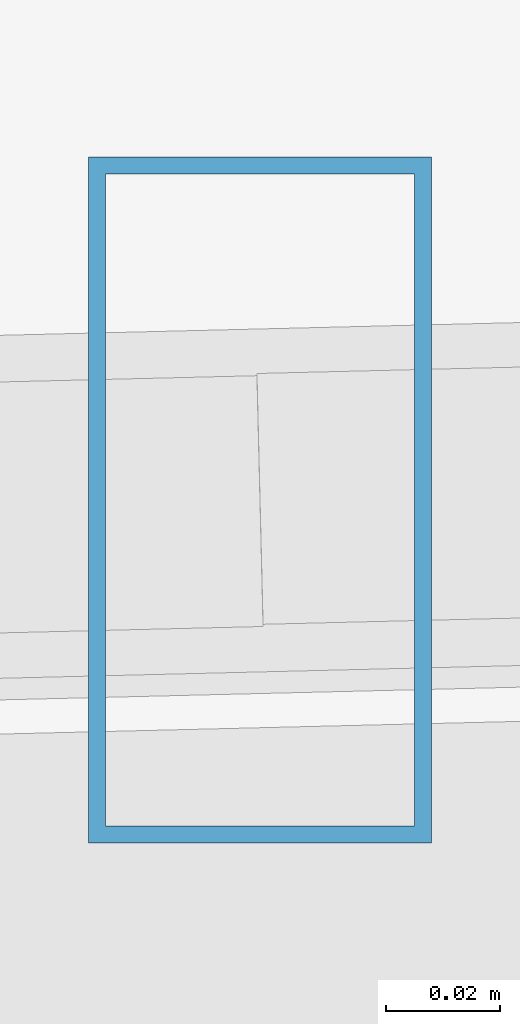
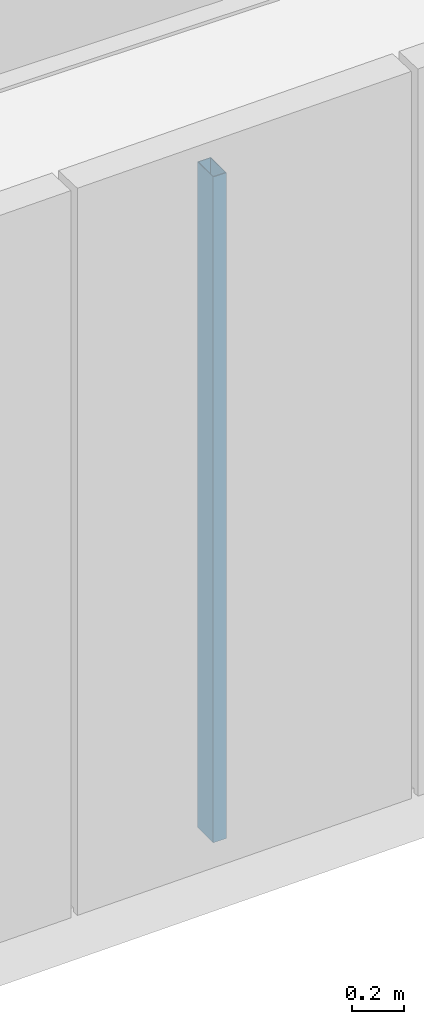
# One storey, part 5 of 44: 1 member, 1 element without a shape of its own.
"""IFC4 building model written with IfcOpenShell, lengths in metres."""

import ifcopenshell
import ifcopenshell.guid

model = None  # the IFC model being written
_history = None  # IfcOwnerHistory: only IFC2X3 demands one
_inside = {}  # id of a spatial element -> (the spatial element, [elements in it])
_under = {}  # id of a project, library or spatial element -> (it, [spatial elements below it])
_declared = {}  # id of a project -> (the project, [libraries it declares])
_typed = {}  # id of a type object -> (the type object, [elements of that type])
_made_of = {}  # id of a material, layer set ... -> (it, [elements and type objects made of it])


def new_model(schema):
    """Start an empty IFC model of exactly this schema.

    Asked for "IFC4X3", IfcOpenShell would pick the latest addendum, in which some entities
    have other attributes; the version numbers below select the first issue.
    IFC2X3 requires an IfcOwnerHistory on every rooted entity: one is made here for all.
    """
    global model, _history
    if schema == "IFC4X3":
        model = ifcopenshell.file(schema_version=(4, 3, 0, 0))
    else:
        model = ifcopenshell.file(schema=schema)
    _inside.clear()
    _under.clear()
    _declared.clear()
    _typed.clear()
    _made_of.clear()
    _history = None
    if model.schema == "IFC2X3":
        org = make("IfcOrganization", Name="unknown")
        user = make(
            "IfcPersonAndOrganization",
            ThePerson=make("IfcPerson", FamilyName="unknown"),
            TheOrganization=org,
        )
        app = make(
            "IfcApplication",
            ApplicationDeveloper=org,
            Version="unknown",
            ApplicationFullName="unknown",
            ApplicationIdentifier="unknown",
        )
        _history = make(
            "IfcOwnerHistory",
            OwningUser=user,
            OwningApplication=app,
            ChangeAction="ADDED",
            CreationDate=0,
        )
    return model


def make(cls, **values):
    """One entity of the class cls with the attributes given. An attribute that is None is left unset."""
    return model.create_entity(
        cls, **{name: value for name, value in values.items() if value is not None}
    )


def rooted(cls, **values):
    """An entity with a GlobalId (a new one), such as an element, a storey or a relation."""
    return make(cls, GlobalId=ifcopenshell.guid.new(), OwnerHistory=_history, **values)


def si_unit(unit_type, name, prefix=None):
    """IfcSIUnit, for example si_unit("LENGTHUNIT", "METRE", prefix="MILLI")."""
    return make("IfcSIUnit", UnitType=unit_type, Prefix=prefix, Name=name)


def assignment(units):
    """IfcUnitAssignment: the units of a project."""
    return None if units is None else make("IfcUnitAssignment", Units=units)


def point(xyz):
    """IfcCartesianPoint."""
    return None if xyz is None else make("IfcCartesianPoint", Coordinates=xyz)


def direction(xyz):
    """IfcDirection."""
    return None if xyz is None else make("IfcDirection", DirectionRatios=xyz)


def frame(location, z_axis=None, x_axis=None):
    """IfcAxis2Placement3D, a coordinate frame: its origin and axes. An axis left out is left unset."""
    return make(
        "IfcAxis2Placement3D",
        Location=point(location),
        Axis=direction(z_axis),
        RefDirection=direction(x_axis),
    )


def frame_2d(location, x_axis=None):
    """IfcAxis2Placement2D, a coordinate frame in the plane: its origin and x axis."""
    return make(
        "IfcAxis2Placement2D", Location=point(location), RefDirection=direction(x_axis)
    )


def origin():
    """The frame at (0, 0, 0) with its axes left unset."""
    return frame((0.0, 0.0, 0.0))


def origin_2d():
    """The frame at (0, 0) in the plane with its x axis left unset."""
    return frame_2d((0.0, 0.0))


def place(relative_to, where):
    """IfcLocalPlacement: puts the frame where relative to a parent placement (None: the world)."""
    return make(
        "IfcLocalPlacement", PlacementRelTo=relative_to, RelativePlacement=where
    )


def context(
    kind, dimensions, precision=None, world=None, true_north=None, identifier=None
):
    """IfcGeometricRepresentationContext, for example the 3D "Model" context."""
    return make(
        "IfcGeometricRepresentationContext",
        ContextIdentifier=identifier,
        ContextType=kind,
        CoordinateSpaceDimension=dimensions,
        Precision=precision,
        WorldCoordinateSystem=world,
        TrueNorth=true_north,
    )


def subcontext(parent, identifier, kind, view, scale=None):
    """IfcGeometricRepresentationSubContext, for example "Body" below "Model"."""
    return make(
        "IfcGeometricRepresentationSubContext",
        ContextIdentifier=identifier,
        ContextType=kind,
        ParentContext=parent,
        TargetScale=scale,
        TargetView=view,
    )


def project(units=None, contexts=None):
    """IfcProject with its units and contexts."""
    return rooted(
        "IfcProject",
        Name="project",
        RepresentationContexts=contexts,
        UnitsInContext=assignment(units),
    )


def spatial(cls, under=None, at=None, **own):
    """A site, building, storey or space (cls), placed at a placement, below another one or the project."""
    s = rooted(cls, ObjectPlacement=at, **own)
    if under is not None:
        _under.setdefault(under.id(), (under, []))[1].append(s)
    return s


def profile(cls, at=None, kind="AREA", **sizes):
    """A parametric profile (cls). Its sizes go by their IFC names, for example OverallWidth=200.0."""
    return make(cls, ProfileType=kind, Position=at, **sizes)


def hollow_rectangle(**sizes):
    """IfcRectangleHollowProfileDef."""
    return profile("IfcRectangleHollowProfileDef", **sizes)


def extrude(swept, where, along, depth):
    """IfcExtrudedAreaSolid: the profile swept, set in the frame where, extruded along a direction by depth."""
    return make(
        "IfcExtrudedAreaSolid",
        SweptArea=swept,
        Position=where,
        ExtrudedDirection=direction(along),
        Depth=depth,
    )


def shape(context_of_items, identifier, shape_type, items):
    """IfcShapeRepresentation: the items that make up one representation, for example the "Body"."""
    return make(
        "IfcShapeRepresentation",
        ContextOfItems=context_of_items,
        RepresentationIdentifier=identifier,
        RepresentationType=shape_type,
        Items=items,
    )


def source(mapping_origin, context_of_items, identifier, shape_type, items):
    """IfcRepresentationMap: a shape defined once, which mapped items show again and again."""
    return make(
        "IfcRepresentationMap",
        MappingOrigin=mapping_origin,
        MappedRepresentation=shape(context_of_items, identifier, shape_type, items),
    )


def transform(
    local_origin,
    x_axis=None,
    y_axis=None,
    z_axis=None,
    scale=None,
    scale2=None,
    scale3=None,
    uniform=True,
):
    """IfcCartesianTransformationOperator3D, or its non-uniform kind. x_axis, y_axis, z_axis: its Axis1, 2, 3."""
    if uniform:
        return make(
            "IfcCartesianTransformationOperator3D",
            Axis1=direction(x_axis),
            Axis2=direction(y_axis),
            LocalOrigin=point(local_origin),
            Scale=scale,
            Axis3=direction(z_axis),
        )
    return make(
        "IfcCartesianTransformationOperator3DnonUniform",
        Axis1=direction(x_axis),
        Axis2=direction(y_axis),
        LocalOrigin=point(local_origin),
        Scale=scale,
        Axis3=direction(z_axis),
        Scale2=scale2,
        Scale3=scale3,
    )


def mapped(mapping_source, mapping_target):
    """IfcMappedItem: shows the shape of a source again, moved by a transform."""
    return make(
        "IfcMappedItem", MappingSource=mapping_source, MappingTarget=mapping_target
    )


def material(Name=None, Category=None):
    """IfcMaterial."""
    return make("IfcMaterial", Name=Name, Category=Category)


def material_profile(
    of_material, cross_section, Name=None, Category=None, Priority=None
):
    """IfcMaterialProfile: a cross section and its material."""
    return make(
        "IfcMaterialProfile",
        Name=Name,
        Material=of_material,
        Profile=cross_section,
        Priority=Priority,
        Category=Category,
    )


def profile_set(profiles, Name=None, composite=None):
    """IfcMaterialProfileSet."""
    return make(
        "IfcMaterialProfileSet",
        Name=Name,
        MaterialProfiles=profiles,
        CompositeProfile=composite,
    )


def made_of(thing, what):
    """Note that an element or type object is made of a material, layer set ...; save() writes the relation."""
    if what is not None:
        _made_of.setdefault(what.id(), (what, []))[1].append(thing)
    return thing


def type_object(cls, material=None, **own):
    """A type object (cls), such as IfcWallType, which elements share."""
    return made_of(rooted(cls, **own), material)


def type_shapes(of_type, sources):
    """Give a type object the sources (RepresentationMaps) that its elements show as mapped items."""
    of_type.RepresentationMaps = sources


def element(
    cls,
    number,
    at=None,
    inside=None,
    cuts=None,
    type_object=None,
    material=None,
    context=None,
    identifier="Body",
    shape_type=None,
    held_by="IfcProductDefinitionShape",
    body=None,
    shapes=None,
    **own,
):
    """One element of the class cls, such as IfcWall. Its Tag is "e" and its number.

    at: its placement. inside: the storey or other place that contains it. cuts: it is an
    opening in that element (IfcRelVoidsElement). A single representation is given by context,
    identifier, shape_type and body (its items); several are given by shapes. held_by: the class
    of the entity that holds the representations. save() writes the other relations.
    """
    e = rooted(cls, Tag="e%d" % number, ObjectPlacement=at, **own)
    if body is not None:
        shapes = [shape(context, identifier, shape_type, body)]
    if shapes is not None:
        e.Representation = make(held_by, Representations=shapes)
    if inside is not None:
        _inside.setdefault(inside.id(), (inside, []))[1].append(e)
    if cuts is not None:
        rooted(
            "IfcRelVoidsElement", RelatingBuildingElement=cuts, RelatedOpeningElement=e
        )
    if type_object is not None:
        _typed.setdefault(type_object.id(), (type_object, []))[1].append(e)
    return made_of(e, material)


def aggregate(whole, parts):
    """IfcRelAggregates: a whole, such as a stair, and the parts it consists of."""
    return rooted("IfcRelAggregates", RelatingObject=whole, RelatedObjects=parts)


def save(model, path):
    """Write the relations noted so far, then the file.

    IfcRelAggregates (storeys below a building ...), IfcRelContainedInSpatialStructure (elements
    in a storey), IfcRelDefinesByType, IfcRelAssociatesMaterial and IfcRelDeclares: one each for
    every whole, place, type object, material and project.
    """
    for whole, parts in _under.values():
        aggregate(whole, parts)
    for where, things in _inside.values():
        rooted(
            "IfcRelContainedInSpatialStructure",
            RelatedElements=things,
            RelatingStructure=where,
        )
    for kind, things in _typed.values():
        rooted("IfcRelDefinesByType", RelatedObjects=things, RelatingType=kind)
    for what, things in _made_of.values():
        rooted("IfcRelAssociatesMaterial", RelatedObjects=things, RelatingMaterial=what)
    for by, libraries in _declared.values():
        rooted("IfcRelDeclares", RelatingContext=by, RelatedDefinitions=libraries)
    model.write(path)


model = new_model("IFC4")

# Units and contexts
model_context = context("Model", 3, precision=1e-05, world=origin(), true_north=direction((0.0, 1.0)))
body_context = subcontext(model_context, "Body", "Model", "MODEL_VIEW")
ifc_project = project(units=[si_unit("LENGTHUNIT", "METRE"), si_unit("AREAUNIT", "SQUARE_METRE"), si_unit("VOLUMEUNIT", "CUBIC_METRE"), si_unit("PLANEANGLEUNIT", "RADIAN"), si_unit("MASSUNIT", "GRAM", prefix="KILO")], contexts=[model_context])

# Site, building, storey
site_placement = place(None, origin())
site = spatial("IfcSite", under=ifc_project, at=site_placement, CompositionType="ELEMENT")
building_placement = place(site_placement, origin())
building = spatial("IfcBuilding", under=site, at=building_placement, Name="Caelisora Broadcast Tower", CompositionType="ELEMENT")
storey_placement = place(building_placement, frame((0.0, 0.0, 289.800048828125)))
storey = spatial("IfcBuildingStorey", under=building, at=storey_placement, Name="L76", CompositionType="ELEMENT", Elevation=289.800048828125)

# Curtain wall, member
ifc_material_1 = material(Name="Unitised Aluminium Insulated Shadow-Box Spandrel Curtain Wall", Category="aluminium")
curtain_wall_type = type_object("IfcCurtainWallType", Name="CW-SP3", PredefinedType="NOTDEFINED", material=ifc_material_1)
curtain_wall_placement = place(storey_placement, origin())
curtain_wall = element("IfcCurtainWall", 1, at=curtain_wall_placement, inside=storey, type_object=curtain_wall_type, Name="L76 curtain wall CW-SP3", PredefinedType="NOTDEFINED")
ifc_material_2 = material(Name="Aluminium 6063-T6 Anodised Terracotta Bronze", Category="aluminium")
ifc_material_profile = material_profile(ifc_material_2, hollow_rectangle(XDim=0.06005859375, YDim=0.1201171875, WallThickness=0.0029296875, at=origin_2d()), Name="Aluminium 6063-T6 Anodised Terracotta Bronze")
ifc_profile_set = profile_set([ifc_material_profile], Name="Aluminium 6063-T6 Anodised Terracotta Bronze")
member_type = type_object("IfcMemberType", Name="CWM-04", PredefinedType="MULLION", material=ifc_profile_set)
shared_shape = source(origin(), body_context, "Body", "SweptSolid", [
    extrude(hollow_rectangle(XDim=0.06005859375, YDim=0.1201171875, WallThickness=0.0029296875, at=origin_2d()), origin(), (0.0, 0.0, 1.0), 3.14990234375),
])
type_shapes(member_type, [shared_shape])
member_placement = place(storey_placement, frame((25.132080078125, 8.55029296875, 0.0), z_axis=(0.0, 0.0, 1.0), x_axis=(1.0, 0.0, 0.0)))
member = element("IfcMember", 2, at=member_placement, type_object=member_type, Name="L76-CW-B07 mullion #1", PredefinedType="MULLION", context=body_context, shape_type="MappedRepresentation", body=[
    mapped(shared_shape, transform((0.0, 0.0, 0.0), scale=1.0)),
])
aggregate(curtain_wall, [member])

save(model, "model.ifc")
